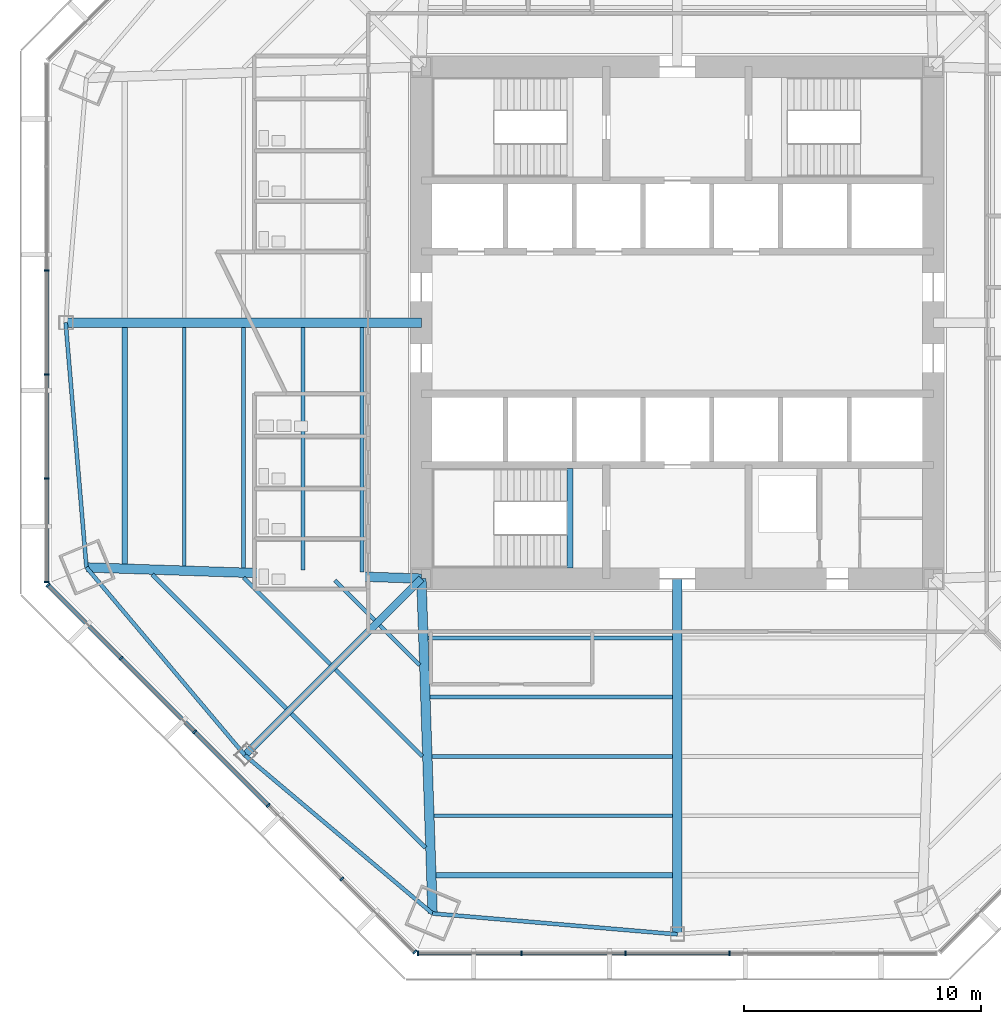
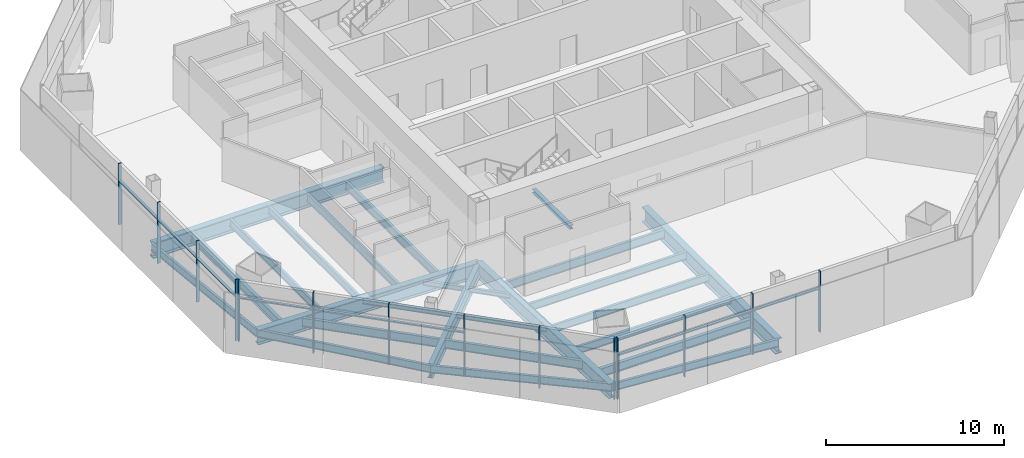
# One storey, part 2 of 13: 26 beams, 23 members, 3 elements without a shape of their own.
"""IFC4 building model written with IfcOpenShell, lengths in metres."""

from ifc_helpers import new_model, si_unit, direction, frame, origin, origin_2d, place, context, subcontext, project, spatial, rectangle, i_section, extrude, source, transform, mapped, material, material_profile, profile_set, type_object, type_shapes, element, aggregate, save


model = new_model("IFC4")

# Units and contexts
model_context = context("Model", 3, precision=1e-05, world=origin(), true_north=direction((0.0, 1.0)))
body_context = subcontext(model_context, "Body", "Model", "MODEL_VIEW")
ifc_project = project(units=[si_unit("LENGTHUNIT", "METRE"), si_unit("AREAUNIT", "SQUARE_METRE"), si_unit("VOLUMEUNIT", "CUBIC_METRE"), si_unit("PLANEANGLEUNIT", "RADIAN"), si_unit("MASSUNIT", "GRAM", prefix="KILO")], contexts=[model_context])

# Site, building, storey
site_placement = place(None, origin())
site = spatial("IfcSite", under=ifc_project, at=site_placement, CompositionType="ELEMENT")
building_placement = place(site_placement, origin())
building = spatial("IfcBuilding", under=site, at=building_placement, Name="Mashrafa Tower", CompositionType="ELEMENT")
storey_placement = place(building_placement, frame((0.0, 0.0, 49.800048828125)))
storey = spatial("IfcBuildingStorey", under=building, at=storey_placement, Name="L10", CompositionType="ELEMENT", Elevation=49.800048828125)

# Beams
ifc_material_1 = material(Name="Steel ASTM A992", Category="steel")
ifc_material_profile_1 = material_profile(ifc_material_1, i_section(OverallWidth=0.164794921875, OverallDepth=0.309814453125, WebThickness=0.005859375, FlangeThickness=0.009765625, FilletRadius=0.007568359375, at=origin_2d()), Name="W12X26")
ifc_profile_set_1 = profile_set([ifc_material_profile_1], Name="Steel ASTM A992")
beam_type_1 = type_object("IfcBeamType", Name="Beam W12X26", PredefinedType="BEAM", material=ifc_profile_set_1)
beam_1_placement = place(storey_placement, frame((-14.63427734375, -14.416748046875, -0.320068359375), z_axis=(-0.707106781187, 0.707106781187, 0.0), x_axis=(-0.707106781187, -0.707106781187, 0.0)))
element("IfcBeam", 1, at=beam_1_placement, inside=storey, type_object=beam_type_1, Name="Floor beam L10 014", PredefinedType="BEAM", context=body_context, shape_type="SweptSolid", body=[
    extrude(i_section(OverallWidth=0.164794921875, OverallDepth=0.309814453125, WebThickness=0.005859375, FlangeThickness=0.009765625, FilletRadius=0.007568359375, at=origin_2d()), origin(), (0.0, 0.0, 1.0), 5.185546875),
])
for number, where, z_axis, x_axis, name in (
    (2, (-12.771484375, -12.553955078125, -0.320068359375), (-0.707158306437, 0.707055252181, 0.0), (-0.707055252181, -0.707158306437, 0.0), "Floor beam L10 018"),
    (3, (-10.87890625, -14.44677734375, -0.320068359375), (-0.707055252181, 0.707158306437, 0.0), (-0.707158306437, -0.707055252181, 0.0), "Floor beam L10 021"),
):
    element("IfcBeam", number, at=place(storey_placement, frame(where, z_axis=z_axis, x_axis=x_axis)), inside=storey, type_object=beam_type_1, Name=name, PredefinedType="BEAM", context=body_context, shape_type="SweptSolid", body=[
        extrude(i_section(OverallWidth=0.164794921875, OverallDepth=0.309814453125, WebThickness=0.005859375, FlangeThickness=0.009765625, FilletRadius=0.007568359375, at=origin_2d()), origin(), (0.0, 0.0, 1.0), 2.369140625),
    ])
beam_2_placement = place(storey_placement, frame((-10.75, -18.301025390625, -0.320068359375), z_axis=(-0.707106781187, 0.707106781187, 0.0), x_axis=(-0.707106781187, -0.707106781187, 0.0)))
element("IfcBeam", 4, at=beam_2_placement, inside=storey, type_object=beam_type_1, Name="Floor beam L10 024", PredefinedType="BEAM", context=body_context, shape_type="SweptSolid", body=[
    extrude(i_section(OverallWidth=0.164794921875, OverallDepth=0.309814453125, WebThickness=0.005859375, FlangeThickness=0.009765625, FilletRadius=0.007568359375, at=origin_2d()), origin(), (0.0, 0.0, 1.0), 5.185546875),
])
ifc_material_2 = material(Name="Steel ASTM A992", Category="steel")
ifc_material_profile_2 = material_profile(ifc_material_2, i_section(OverallWidth=0.1650390625, OverallDepth=0.52587890625, WebThickness=0.0087890625, FlangeThickness=0.011474609375, FilletRadius=0.0126953125, at=origin_2d()), Name="W21X44")
ifc_profile_set_2 = profile_set([ifc_material_profile_2], Name="Steel ASTM A992")
beam_type_2 = type_object("IfcBeamType", Name="Beam W21X44", PredefinedType="BEAM", material=ifc_profile_set_2)
beam_3_placement = place(storey_placement, frame((-20.80712890625, -10.264404296875, -0.427978515625), z_axis=(0.0, 1.0, 0.0), x_axis=(-1.0, 0.0, 0.0)))
element("IfcBeam", 5, at=beam_3_placement, inside=storey, type_object=beam_type_2, Name="Floor beam L10 004", PredefinedType="BEAM", context=body_context, shape_type="SweptSolid", body=[
    extrude(i_section(OverallWidth=0.1650390625, OverallDepth=0.52587890625, WebThickness=0.0087890625, FlangeThickness=0.011474609375, FilletRadius=0.0126953125, at=origin_2d()), origin(), (0.0, 0.0, 1.0), 10.059814453125),
])
beam_4_placement = place(storey_placement, frame((-18.305419921875, -10.34814453125, -0.427978515625), z_axis=(0.0, 1.0, 0.0), x_axis=(-1.0, 0.0, 0.0)))
element("IfcBeam", 6, at=beam_4_placement, inside=storey, type_object=beam_type_2, Name="Floor beam L10 007", PredefinedType="BEAM", context=body_context, shape_type="SweptSolid", body=[
    extrude(i_section(OverallWidth=0.1650390625, OverallDepth=0.52587890625, WebThickness=0.0087890625, FlangeThickness=0.011474609375, FilletRadius=0.0126953125, at=origin_2d()), origin(), (0.0, 0.0, 1.0), 10.1435546875),
])
beam_5_placement = place(storey_placement, frame((-0.20458984375, -20.80712890625, -0.427978515625), z_axis=(-1.0, 0.0, 0.0), x_axis=(0.0, -1.0, 0.0)))
element("IfcBeam", 7, at=beam_5_placement, inside=storey, type_object=beam_type_2, Name="Floor beam L10 029", PredefinedType="BEAM", context=body_context, shape_type="SweptSolid", body=[
    extrude(i_section(OverallWidth=0.1650390625, OverallDepth=0.52587890625, WebThickness=0.0087890625, FlangeThickness=0.011474609375, FilletRadius=0.0126953125, at=origin_2d()), origin(), (0.0, 0.0, 1.0), 10.059814453125),
])
beam_6_placement = place(storey_placement, frame((-0.20458984375, -18.305419921875, -0.427978515625), z_axis=(-1.0, 0.0, 0.0), x_axis=(0.0, -1.0, 0.0)))
element("IfcBeam", 8, at=beam_6_placement, inside=storey, type_object=beam_type_2, Name="Floor beam L10 030", PredefinedType="BEAM", context=body_context, shape_type="SweptSolid", body=[
    extrude(i_section(OverallWidth=0.1650390625, OverallDepth=0.52587890625, WebThickness=0.0087890625, FlangeThickness=0.011474609375, FilletRadius=0.0126953125, at=origin_2d()), origin(), (0.0, 0.0, 1.0), 10.1435546875),
])
ifc_material_3 = material(Name="Steel ASTM A992", Category="steel")
ifc_material_profile_3 = material_profile(ifc_material_3, i_section(OverallWidth=0.165771484375, OverallDepth=0.5283203125, WebThickness=0.009765625, FlangeThickness=0.013671875, FilletRadius=0.012939453125, at=origin_2d()), Name="W21X50")
ifc_profile_set_3 = profile_set([ifc_material_profile_3], Name="Steel ASTM A992")
beam_type_3 = type_object("IfcBeamType", Name="Beam W21X50", PredefinedType="BEAM", material=ifc_profile_set_3)
for number, where, z_axis, x_axis, name in (
    (9, (-15.803466796875, -10.431884765625, -0.42919921875), (0.0, 1.0, 0.0), (-1.0, 0.0, 0.0), "Floor beam L10 011"),
    (10, (-0.20458984375, -15.803466796875, -0.42919921875), (-1.0, 0.0, 0.0), (0.0, -1.0, 0.0), "Floor beam L10 031"),
):
    element("IfcBeam", number, at=place(storey_placement, frame(where, z_axis=z_axis, x_axis=x_axis)), inside=storey, type_object=beam_type_3, Name=name, PredefinedType="BEAM", context=body_context, shape_type="SweptSolid", body=[
        extrude(i_section(OverallWidth=0.165771484375, OverallDepth=0.5283203125, WebThickness=0.009765625, FlangeThickness=0.013671875, FilletRadius=0.012939453125, at=origin_2d()), origin(), (0.0, 0.0, 1.0), 10.227294921875),
    ])
beam_7_placement = place(storey_placement, frame((-25.810546875, 0.0, -0.42919921875), z_axis=(0.08472768277, -0.996404144799, 0.0), x_axis=(0.996404144799, 0.08472768277, 0.0)))
element("IfcBeam", 11, at=beam_7_placement, inside=storey, type_object=beam_type_3, Name="Spandrel beam L10 081", PredefinedType="BEAM", context=body_context, shape_type="SweptSolid", body=[
    extrude(i_section(OverallWidth=0.165771484375, OverallDepth=0.5283203125, WebThickness=0.009765625, FlangeThickness=0.013671875, FilletRadius=0.012939453125, at=origin_2d()), origin(), (0.0, 0.0, 1.0), 10.36474609375),
])
for number, where, z_axis, x_axis, name in (
    (12, (-24.932373046875, -10.327392578125, -0.42919921875), (0.644638285495, -0.764487724476, 0.0), (0.764487724476, 0.644638285495, 0.0), "Spandrel beam L10 082"),
    (13, (-18.2509765625, -18.2509765625, -0.42919921875), (0.764487724476, -0.644638285495, 0.0), (0.644638285495, 0.764487724476, 0.0), "Spandrel beam L10 084"),
):
    element("IfcBeam", number, at=place(storey_placement, frame(where, z_axis=z_axis, x_axis=x_axis)), inside=storey, type_object=beam_type_3, Name=name, PredefinedType="BEAM", context=body_context, shape_type="SweptSolid", body=[
        extrude(i_section(OverallWidth=0.165771484375, OverallDepth=0.5283203125, WebThickness=0.009765625, FlangeThickness=0.013671875, FilletRadius=0.012939453125, at=origin_2d()), origin(), (0.0, 0.0, 1.0), 10.364501953125),
    ])
beam_8_placement = place(storey_placement, frame((-10.327392578125, -24.932373046875, -0.42919921875), z_axis=(0.996404144799, -0.08472768277, 0.0), x_axis=(0.08472768277, 0.996404144799, 0.0)))
element("IfcBeam", 14, at=beam_8_placement, inside=storey, type_object=beam_type_3, Name="Spandrel beam L10 086", PredefinedType="BEAM", context=body_context, shape_type="SweptSolid", body=[
    extrude(i_section(OverallWidth=0.165771484375, OverallDepth=0.5283203125, WebThickness=0.009765625, FlangeThickness=0.013671875, FilletRadius=0.012939453125, at=origin_2d()), origin(), (0.0, 0.0, 1.0), 10.36474609375),
])
ifc_material_4 = material(Name="Steel ASTM A992", Category="steel")
ifc_material_profile_4 = material_profile(ifc_material_4, i_section(OverallWidth=0.177978515625, OverallDepth=0.599365234375, WebThickness=0.010009765625, FlangeThickness=0.012939453125, FilletRadius=0.012939453125, at=origin_2d()), Name="W24X55")
ifc_profile_set_4 = profile_set([ifc_material_profile_4], Name="Steel ASTM A992")
beam_type_4 = type_object("IfcBeamType", Name="Beam W24X55", PredefinedType="BEAM", material=ifc_profile_set_4)
beam_9_placement = place(storey_placement, frame((-16.496826171875, -16.279541015625, -0.46484375), z_axis=(-0.707106781187, 0.707106781187, 0.0), x_axis=(-0.707106781187, -0.707106781187, 0.0)))
element("IfcBeam", 15, at=beam_9_placement, inside=storey, type_object=beam_type_4, Name="Floor beam L10 009", PredefinedType="BEAM", context=body_context, shape_type="SweptSolid", body=[
    extrude(i_section(OverallWidth=0.177978515625, OverallDepth=0.599365234375, WebThickness=0.010009765625, FlangeThickness=0.012939453125, FilletRadius=0.012939453125, at=origin_2d()), origin(), (0.0, 0.0, 1.0), 8.002685546875),
])
beam_10_placement = place(storey_placement, frame((-13.3017578125, -10.515380859375, -0.46484375), z_axis=(0.0, 1.0, 0.0), x_axis=(-1.0, 0.0, 0.0)))
element("IfcBeam", 16, at=beam_10_placement, inside=storey, type_object=beam_type_4, Name="Floor beam L10 016", PredefinedType="BEAM", context=body_context, shape_type="SweptSolid", body=[
    extrude(i_section(OverallWidth=0.177978515625, OverallDepth=0.599365234375, WebThickness=0.010009765625, FlangeThickness=0.012939453125, FilletRadius=0.012939453125, at=origin_2d()), origin(), (0.0, 0.0, 1.0), 10.310791015625),
])
beam_11_placement = place(storey_placement, frame((-10.620849609375, -22.155517578125, -0.46484375), z_axis=(-0.707106781187, 0.707106781187, 0.0), x_axis=(-0.707106781187, -0.707106781187, 0.0)))
element("IfcBeam", 17, at=beam_11_placement, inside=storey, type_object=beam_type_4, Name="Floor beam L10 026", PredefinedType="BEAM", context=body_context, shape_type="SweptSolid", body=[
    extrude(i_section(OverallWidth=0.177978515625, OverallDepth=0.599365234375, WebThickness=0.010009765625, FlangeThickness=0.012939453125, FilletRadius=0.012939453125, at=origin_2d()), origin(), (0.0, 0.0, 1.0), 8.002685546875),
])
beam_12_placement = place(storey_placement, frame((-0.20458984375, -13.3017578125, -0.46484375), z_axis=(-1.0, 0.0, 0.0), x_axis=(0.0, -1.0, 0.0)))
element("IfcBeam", 18, at=beam_12_placement, inside=storey, type_object=beam_type_4, Name="Floor beam L10 032", PredefinedType="BEAM", context=body_context, shape_type="SweptSolid", body=[
    extrude(i_section(OverallWidth=0.177978515625, OverallDepth=0.599365234375, WebThickness=0.010009765625, FlangeThickness=0.012939453125, FilletRadius=0.012939453125, at=origin_2d()), origin(), (0.0, 0.0, 1.0), 10.310791015625),
])
ifc_material_5 = material(Name="Steel ASTM A992", Category="steel")
ifc_material_profile_5 = material_profile(ifc_material_5, i_section(OverallWidth=0.227783203125, OverallDepth=0.60205078125, WebThickness=0.010498046875, FlangeThickness=0.014892578125, FilletRadius=0.012939453125, at=origin_2d()), Name="W24X68")
ifc_profile_set_5 = profile_set([ifc_material_profile_5], Name="Steel ASTM A992")
beam_type_5 = type_object("IfcBeamType", Name="Beam W24X68", PredefinedType="BEAM", material=ifc_profile_set_5)
for number, where, z_axis, x_axis, name in (
    (19, (-23.308837890625, -10.180908203125, -0.466064453125), (0.0, 1.0, 0.0), (-1.0, 0.0, 0.0), "Floor beam L10 001"),
    (20, (-0.20458984375, -23.308837890625, -0.466064453125), (-1.0, 0.0, 0.0), (0.0, -1.0, 0.0), "Floor beam L10 028"),
):
    element("IfcBeam", number, at=place(storey_placement, frame(where, z_axis=z_axis, x_axis=x_axis)), inside=storey, type_object=beam_type_5, Name=name, PredefinedType="BEAM", context=body_context, shape_type="SweptSolid", body=[
        extrude(i_section(OverallWidth=0.227783203125, OverallDepth=0.60205078125, WebThickness=0.010498046875, FlangeThickness=0.014892578125, FilletRadius=0.012939453125, at=origin_2d()), origin(), (0.0, 0.0, 1.0), 9.976318359375),
    ])
ifc_material_6 = material(Name="Steel ASTM A992", Category="steel")
ifc_material_profile_6 = material_profile(ifc_material_6, i_section(OverallWidth=0.307373046875, OverallDepth=0.927001953125, WebThickness=0.01953125, FlangeThickness=0.031982421875, FilletRadius=0.01904296875, at=origin_2d()), Name="W36X194")
ifc_profile_set_6 = profile_set([ifc_material_profile_6], Name="Steel ASTM A992")
beam_type_6 = type_object("IfcBeamType", Name="Beam W36X194", PredefinedType="BEAM", material=ifc_profile_set_6)
beam_13_placement = place(storey_placement, frame((-10.800048828125, -10.800048828125, -0.628662109375), z_axis=(-0.707106781187, -0.707106781187, 0.0), x_axis=(0.707106781187, -0.707106781187, 0.0)))
element("IfcBeam", 21, at=beam_13_placement, inside=storey, type_object=beam_type_6, Name="Radial girder L10 066", PredefinedType="BEAM", context=body_context, shape_type="SweptSolid", body=[
    extrude(i_section(OverallWidth=0.307373046875, OverallDepth=0.927001953125, WebThickness=0.01953125, FlangeThickness=0.031982421875, FilletRadius=0.01904296875, at=origin_2d()), origin(), (0.0, 0.0, 1.0), 10.537109375),
])
ifc_material_7 = material(Name="Steel ASTM A992", Category="steel")
ifc_material_profile_7 = material_profile(ifc_material_7, i_section(OverallWidth=0.4013671875, OverallDepth=1.010986328125, WebThickness=0.023681640625, FlangeThickness=0.0419921875, FilletRadius=0.02001953125, at=origin_2d()), Name="W40X297")
ifc_profile_set_7 = profile_set([ifc_material_profile_7], Name="Steel ASTM A992")
beam_type_7 = type_object("IfcBeamType", Name="Beam W40X297", PredefinedType="BEAM", material=ifc_profile_set_7)
for number, where, z_axis, x_axis, name in (
    (22, (-10.800048828125, -10.800048828125, -0.67041015625), (-0.999441183174, 0.033426357507, 0.0), (-0.033426357507, -0.999441183174, 0.0), "Radial girder L10 065"),
    (23, (-10.800048828125, -10.800048828125, -0.67041015625), (0.033426357507, -0.999441183174, 0.0), (0.999441183174, 0.033426357507, 0.0), "Radial girder L10 067"),
):
    element("IfcBeam", number, at=place(storey_placement, frame(where, z_axis=z_axis, x_axis=x_axis)), inside=storey, type_object=beam_type_7, Name=name, PredefinedType="BEAM", context=body_context, shape_type="SweptSolid", body=[
        extrude(i_section(OverallWidth=0.4013671875, OverallDepth=1.010986328125, WebThickness=0.023681640625, FlangeThickness=0.0419921875, FilletRadius=0.02001953125, at=origin_2d()), origin(), (0.0, 0.0, 1.0), 14.14013671875),
    ])
ifc_material_8 = material(Name="Steel ASTM A992", Category="steel")
ifc_material_profile_8 = material_profile(ifc_material_8, i_section(OverallWidth=0.408935546875, OverallDepth=1.04150390625, WebThickness=0.031005859375, FlangeThickness=0.055908203125, FilletRadius=0.020263671875, at=origin_2d()), Name="W40X397")
ifc_profile_set_8 = profile_set([ifc_material_profile_8], Name="Steel ASTM A992")
beam_type_8 = type_object("IfcBeamType", Name="Beam W40X397", PredefinedType="BEAM", material=ifc_profile_set_8)
for number, where, z_axis, x_axis, name in (
    (24, (-10.800048828125, 0.0, -0.685791015625), (-1.0, 0.0, 0.0), (0.0, -1.0, 0.0), "Radial girder L10 068"),
    (25, (0.0, -10.800048828125, -0.685791015625), (0.0, -1.0, 0.0), (1.0, 0.0, 0.0), "Radial girder L10 072"),
):
    element("IfcBeam", number, at=place(storey_placement, frame(where, z_axis=z_axis, x_axis=x_axis)), inside=storey, type_object=beam_type_8, Name=name, PredefinedType="BEAM", context=body_context, shape_type="SweptSolid", body=[
        extrude(i_section(OverallWidth=0.408935546875, OverallDepth=1.04150390625, WebThickness=0.031005859375, FlangeThickness=0.055908203125, FilletRadius=0.020263671875, at=origin_2d()), origin(), (0.0, 0.0, 1.0), 15.010498046875),
    ])
ifc_material_9 = material(Name="Steel ASTM A992", Category="steel")
ifc_material_profile_9 = material_profile(ifc_material_9, i_section(OverallWidth=0.25390625, OverallDepth=0.25390625, WebThickness=0.008544921875, FlangeThickness=0.01416015625, FilletRadius=0.010009765625, at=origin_2d()), Name="W10X49")
ifc_profile_set_9 = profile_set([ifc_material_profile_9], Name="Steel ASTM A992")
beam_type_9 = type_object("IfcBeamType", Name="Hoistway beam W10X49", PredefinedType="BEAM", material=ifc_profile_set_9)
beam_14_placement = place(storey_placement, frame((-4.530029296875, -10.35009765625, -0.3271484375), z_axis=(0.0, 1.0, 0.0), x_axis=(-1.0, 0.0, 0.0)))
element("IfcBeam", 26, at=beam_14_placement, inside=storey, type_object=beam_type_9, Name="Stair S3 landing beam L10", PredefinedType="BEAM", context=body_context, shape_type="SweptSolid", body=[
    extrude(i_section(OverallWidth=0.25390625, OverallDepth=0.25390625, WebThickness=0.008544921875, FlangeThickness=0.01416015625, FilletRadius=0.010009765625, at=origin_2d()), origin(), (0.0, 0.0, 1.0), 4.2001953125),
])

# Curtain wall, members
ifc_material_10 = material(Name="Unitised aluminium curtain wall", Category="aluminium")
curtain_wall_type = type_object("IfcCurtainWallType", Name="Office curtain wall, zone 1 CW-A 200 deep", PredefinedType="NOTDEFINED", material=ifc_material_10)
curtain_wall_1_placement = place(storey_placement, origin())
curtain_wall_1 = element("IfcCurtainWall", 27, at=curtain_wall_1_placement, inside=storey, type_object=curtain_wall_type, Name="Office curtain wall, zone 1 L10 west", PredefinedType="NOTDEFINED")
ifc_material_11 = material(Name="Extruded aluminium mullion", Category="aluminium")
ifc_material_profile_10 = material_profile(ifc_material_11, rectangle(XDim=0.199951171875, YDim=0.06494140625, at=origin_2d()), Name="Mullion 65x200")
ifc_profile_set_10 = profile_set([ifc_material_profile_10], Name="Extruded aluminium mullion")
member_type_1 = type_object("IfcMemberType", Name="Mullion CW-A 65 x 200", PredefinedType="MULLION", material=ifc_profile_set_10)
shared_shape_1 = source(origin(), body_context, "Body", "SweptSolid", [
    extrude(rectangle(XDim=0.199951171875, YDim=0.06494140625, at=origin_2d()), origin(), (0.0, 0.0, 1.0), 4.199951171875),
])
type_shapes(member_type_1, [shared_shape_1])
member_1_placement = place(storey_placement, frame((-26.60595703125, 2.19384765625, 0.0), z_axis=(0.0, 0.0, 1.0), x_axis=(1.0, 0.0, 0.0)))
member_1 = element("IfcMember", 28, at=member_1_placement, type_object=member_type_1, Name="CW-A mullion 3", PredefinedType="MULLION", context=body_context, shape_type="MappedRepresentation", body=[
    mapped(shared_shape_1, transform((0.0, 0.0, 0.0))),
])
member_2_placement = place(storey_placement, frame((-26.60595703125, -2.19384765625, 0.0), z_axis=(0.0, 0.0, 1.0), x_axis=(1.0, 0.0, 0.0)))
member_2 = element("IfcMember", 29, at=member_2_placement, type_object=member_type_1, Name="CW-A mullion 4", PredefinedType="MULLION", context=body_context, shape_type="MappedRepresentation", body=[
    mapped(shared_shape_1, transform((0.0, 0.0, 0.0))),
])
member_3_placement = place(storey_placement, frame((-26.60595703125, -6.58154296875, 0.0), z_axis=(0.0, 0.0, 1.0), x_axis=(1.0, 0.0, 0.0)))
member_3 = element("IfcMember", 30, at=member_3_placement, type_object=member_type_1, Name="CW-A mullion 5", PredefinedType="MULLION", context=body_context, shape_type="MappedRepresentation", body=[
    mapped(shared_shape_1, transform((0.0, 0.0, 0.0))),
])
member_4_placement = place(storey_placement, frame((-26.60595703125, -10.9365234375, 0.0), z_axis=(0.0, 0.0, 1.0), x_axis=(1.0, 0.0, 0.0)))
member_4 = element("IfcMember", 31, at=member_4_placement, type_object=member_type_1, Name="CW-A mullion 6", PredefinedType="MULLION", context=body_context, shape_type="MappedRepresentation", body=[
    mapped(shared_shape_1, transform((0.0, 0.0, 0.0))),
])

curtain_wall_2_placement = place(storey_placement, origin())
curtain_wall_2 = element("IfcCurtainWall", 32, at=curtain_wall_2_placement, inside=storey, type_object=curtain_wall_type, Name="Office curtain wall, zone 1 L10 south-west", PredefinedType="NOTDEFINED")
member_5_placement = place(storey_placement, frame((-26.546630859375, -11.079833984375, 0.0), z_axis=(0.0, 0.0, 1.0), x_axis=(0.707106781187, 0.707106781187, 0.0)))
member_5 = element("IfcMember", 33, at=member_5_placement, type_object=member_type_1, Name="CW-A mullion 1", PredefinedType="MULLION", context=body_context, shape_type="MappedRepresentation", body=[
    mapped(shared_shape_1, transform((0.0, 0.0, 0.0))),
])
member_6_placement = place(storey_placement, frame((-23.467041015625, -14.159423828125, 0.0), z_axis=(0.0, 0.0, 1.0), x_axis=(0.707106781187, 0.707106781187, 0.0)))
member_6 = element("IfcMember", 34, at=member_6_placement, type_object=member_type_1, Name="CW-A mullion 2", PredefinedType="MULLION", context=body_context, shape_type="MappedRepresentation", body=[
    mapped(shared_shape_1, transform((0.0, 0.0, 0.0))),
])
member_7_placement = place(storey_placement, frame((-20.364501953125, -17.261962890625, 0.0), z_axis=(0.0, 0.0, 1.0), x_axis=(0.707106781187, 0.707106781187, 0.0)))
member_7 = element("IfcMember", 35, at=member_7_placement, type_object=member_type_1, Name="CW-A mullion 3", PredefinedType="MULLION", context=body_context, shape_type="MappedRepresentation", body=[
    mapped(shared_shape_1, transform((0.0, 0.0, 0.0))),
])
member_8_placement = place(storey_placement, frame((-17.261962890625, -20.364501953125, 0.0), z_axis=(0.0, 0.0, 1.0), x_axis=(0.707106781187, 0.707106781187, 0.0)))
member_8 = element("IfcMember", 36, at=member_8_placement, type_object=member_type_1, Name="CW-A mullion 4", PredefinedType="MULLION", context=body_context, shape_type="MappedRepresentation", body=[
    mapped(shared_shape_1, transform((0.0, 0.0, 0.0))),
])
member_9_placement = place(storey_placement, frame((-14.159423828125, -23.467041015625, 0.0), z_axis=(0.0, 0.0, 1.0), x_axis=(0.707106781187, 0.707106781187, 0.0)))
member_9 = element("IfcMember", 37, at=member_9_placement, type_object=member_type_1, Name="CW-A mullion 5", PredefinedType="MULLION", context=body_context, shape_type="MappedRepresentation", body=[
    mapped(shared_shape_1, transform((0.0, 0.0, 0.0))),
])
member_10_placement = place(storey_placement, frame((-11.079833984375, -26.546630859375, 0.0), z_axis=(0.0, 0.0, 1.0), x_axis=(0.707106781187, 0.707106781187, 0.0)))
member_10 = element("IfcMember", 38, at=member_10_placement, type_object=member_type_1, Name="CW-A mullion 6", PredefinedType="MULLION", context=body_context, shape_type="MappedRepresentation", body=[
    mapped(shared_shape_1, transform((0.0, 0.0, 0.0))),
])

curtain_wall_3_placement = place(storey_placement, origin())
curtain_wall_3 = element("IfcCurtainWall", 39, at=curtain_wall_3_placement, inside=storey, type_object=curtain_wall_type, Name="Office curtain wall, zone 1 L10 south", PredefinedType="NOTDEFINED")
member_11_placement = place(storey_placement, frame((-10.9365234375, -26.60595703125, 0.0), z_axis=(0.0, 0.0, 1.0), x_axis=(0.0, 1.0, 0.0)))
member_11 = element("IfcMember", 40, at=member_11_placement, type_object=member_type_1, Name="CW-A mullion 1", PredefinedType="MULLION", context=body_context, shape_type="MappedRepresentation", body=[
    mapped(shared_shape_1, transform((0.0, 0.0, 0.0))),
])
member_12_placement = place(storey_placement, frame((-6.58154296875, -26.60595703125, 0.0), z_axis=(0.0, 0.0, 1.0), x_axis=(0.0, 1.0, 0.0)))
member_12 = element("IfcMember", 41, at=member_12_placement, type_object=member_type_1, Name="CW-A mullion 2", PredefinedType="MULLION", context=body_context, shape_type="MappedRepresentation", body=[
    mapped(shared_shape_1, transform((0.0, 0.0, 0.0))),
])
member_13_placement = place(storey_placement, frame((-2.19384765625, -26.60595703125, 0.0), z_axis=(0.0, 0.0, 1.0), x_axis=(0.0, 1.0, 0.0)))
member_13 = element("IfcMember", 42, at=member_13_placement, type_object=member_type_1, Name="CW-A mullion 3", PredefinedType="MULLION", context=body_context, shape_type="MappedRepresentation", body=[
    mapped(shared_shape_1, transform((0.0, 0.0, 0.0))),
])
member_14_placement = place(storey_placement, frame((2.19384765625, -26.60595703125, 0.0), z_axis=(0.0, 0.0, 1.0), x_axis=(0.0, 1.0, 0.0)))
member_14 = element("IfcMember", 43, at=member_14_placement, type_object=member_type_1, Name="CW-A mullion 4", PredefinedType="MULLION", context=body_context, shape_type="MappedRepresentation", body=[
    mapped(shared_shape_1, transform((0.0, 0.0, 0.0))),
])

# Member
ifc_material_12 = material(Name="Extruded aluminium transom", Category="aluminium")
ifc_material_profile_11 = material_profile(ifc_material_12, rectangle(XDim=0.159912109375, YDim=0.080078125, at=origin_2d()), Name="Transom 80x160")
ifc_profile_set_11 = profile_set([ifc_material_profile_11], Name="Extruded aluminium transom")
member_type_2 = type_object("IfcMemberType", Name="Transom CW-A 80 x 160", PredefinedType="MULLION", material=ifc_profile_set_11)
shared_shape_2 = source(origin(), body_context, "Body", "SweptSolid", [
    extrude(rectangle(XDim=0.159912109375, YDim=0.080078125, at=origin_2d()), origin(), (0.0, 0.0, 1.0), 4.2900390625),
])
member_15_placement = place(storey_placement, frame((-26.60595703125, -6.614013671875, 3.0), z_axis=(0.0, -1.0, 0.0), x_axis=(1.0, 0.0, 0.0)))
member_15 = element("IfcMember", 44, at=member_15_placement, type_object=member_type_2, Name="CW-A transom 5", PredefinedType="MULLION", context=body_context, shape_type="MappedRepresentation", body=[
    mapped(shared_shape_2, transform((0.0, 0.0, 0.0))),
])

member_16_placement = place(storey_placement, frame((-10.904052734375, -26.60595703125, 3.0), z_axis=(1.0, 0.0, 0.0), x_axis=(0.0, 1.0, 0.0)))
member_16 = element("IfcMember", 45, at=member_16_placement, type_object=member_type_2, Name="CW-A transom 1", PredefinedType="MULLION", context=body_context, shape_type="MappedRepresentation", body=[
    mapped(shared_shape_2, transform((0.0, 0.0, 0.0))),
])

shared_shape_3 = source(origin(), body_context, "Body", "SweptSolid", [
    extrude(rectangle(XDim=0.159912109375, YDim=0.080078125, at=origin_2d()), origin(), (0.0, 0.0, 1.0), 4.32275390625),
])
member_17_placement = place(storey_placement, frame((-26.60595703125, 2.161376953125, 3.0), z_axis=(0.0, -1.0, 0.0), x_axis=(1.0, 0.0, 0.0)))
member_17 = element("IfcMember", 46, at=member_17_placement, type_object=member_type_2, Name="CW-A transom 3", PredefinedType="MULLION", context=body_context, shape_type="MappedRepresentation", body=[
    mapped(shared_shape_3, transform((0.0, 0.0, 0.0))),
])

member_18_placement = place(storey_placement, frame((-26.60595703125, -2.226318359375, 3.0), z_axis=(0.0, -1.0, 0.0), x_axis=(1.0, 0.0, 0.0)))
member_18 = element("IfcMember", 47, at=member_18_placement, type_object=member_type_2, Name="CW-A transom 4", PredefinedType="MULLION", context=body_context, shape_type="MappedRepresentation", body=[
    mapped(shared_shape_3, transform((0.0, 0.0, 0.0))),
])

aggregate(curtain_wall_1, [member_1, member_2, member_3, member_4, member_17, member_18, member_15])

member_19_placement = place(storey_placement, frame((-23.444091796875, -14.182373046875, 3.0), z_axis=(0.707106781187, -0.707106781187, 0.0), x_axis=(0.707106781187, 0.707106781187, 0.0)))
member_19 = element("IfcMember", 48, at=member_19_placement, type_object=member_type_2, Name="CW-A transom 2", PredefinedType="MULLION", context=body_context, shape_type="MappedRepresentation", body=[
    mapped(shared_shape_3, transform((0.0, 0.0, 0.0))),
])

member_20_placement = place(storey_placement, frame((-20.341552734375, -17.284912109375, 3.0), z_axis=(0.707106781187, -0.707106781187, 0.0), x_axis=(0.707106781187, 0.707106781187, 0.0)))
member_20 = element("IfcMember", 49, at=member_20_placement, type_object=member_type_2, Name="CW-A transom 3", PredefinedType="MULLION", context=body_context, shape_type="MappedRepresentation", body=[
    mapped(shared_shape_3, transform((0.0, 0.0, 0.0))),
])

member_21_placement = place(storey_placement, frame((-6.549072265625, -26.60595703125, 3.0), z_axis=(1.0, 0.0, 0.0), x_axis=(0.0, 1.0, 0.0)))
member_21 = element("IfcMember", 50, at=member_21_placement, type_object=member_type_2, Name="CW-A transom 2", PredefinedType="MULLION", context=body_context, shape_type="MappedRepresentation", body=[
    mapped(shared_shape_3, transform((0.0, 0.0, 0.0))),
])

member_22_placement = place(storey_placement, frame((-2.161376953125, -26.60595703125, 3.0), z_axis=(1.0, 0.0, 0.0), x_axis=(0.0, 1.0, 0.0)))
member_22 = element("IfcMember", 51, at=member_22_placement, type_object=member_type_2, Name="CW-A transom 3", PredefinedType="MULLION", context=body_context, shape_type="MappedRepresentation", body=[
    mapped(shared_shape_3, transform((0.0, 0.0, 0.0))),
])

aggregate(curtain_wall_3, [member_11, member_12, member_13, member_14, member_16, member_21, member_22])

shared_shape_4 = source(origin(), body_context, "Body", "SweptSolid", [
    extrude(rectangle(XDim=0.159912109375, YDim=0.080078125, at=origin_2d()), origin(), (0.0, 0.0, 1.0), 4.290283203125),
])
type_shapes(member_type_2, [shared_shape_2, shared_shape_3, shared_shape_4])
member_23_placement = place(storey_placement, frame((-26.523681640625, -11.102783203125, 3.0), z_axis=(0.707106781187, -0.707106781187, 0.0), x_axis=(0.707106781187, 0.707106781187, 0.0)))
member_23 = element("IfcMember", 52, at=member_23_placement, type_object=member_type_2, Name="CW-A transom 1", PredefinedType="MULLION", context=body_context, shape_type="MappedRepresentation", body=[
    mapped(shared_shape_4, transform((0.0, 0.0, 0.0))),
])

aggregate(curtain_wall_2, [member_5, member_6, member_7, member_8, member_9, member_10, member_23, member_19, member_20])

save(model, "model.ifc")
